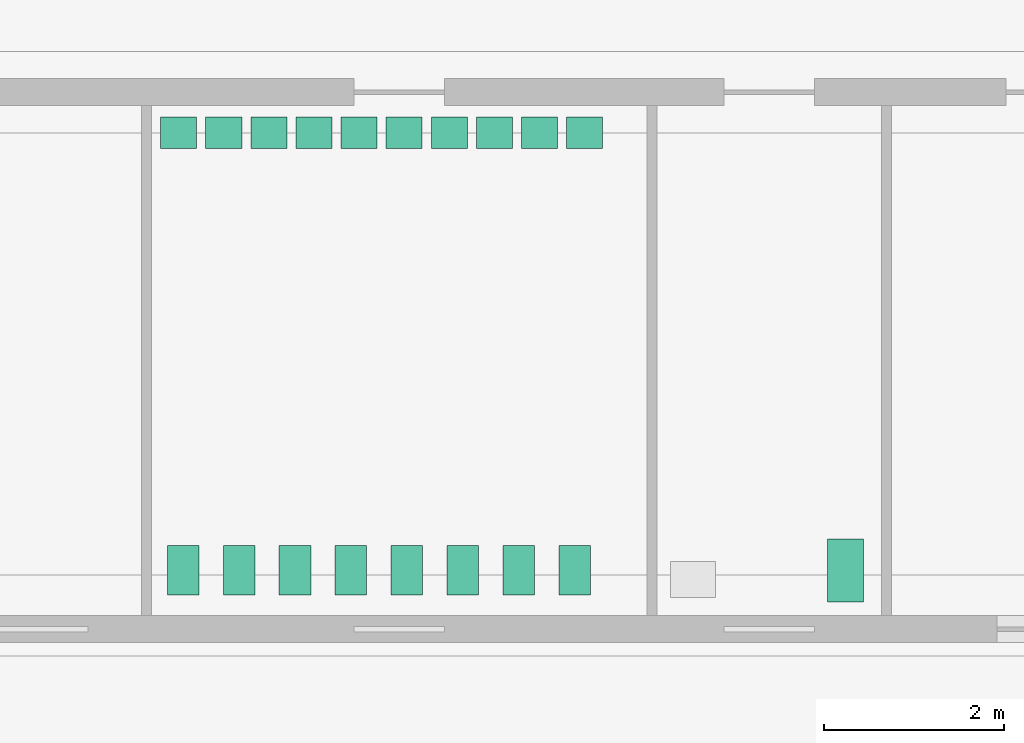
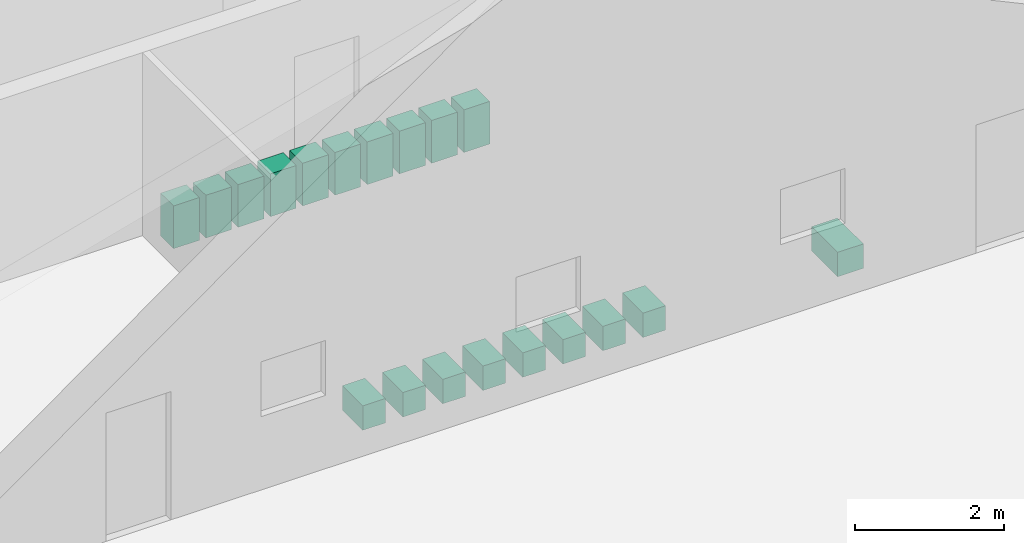
# One storey, part 110 of 112: 19 sanitary terminals.
"""IFC4 building model written with IfcOpenShell, lengths in metres."""

from ifc_helpers import new_model, si_unit, direction, frame, origin, origin_2d, place, context, subcontext, project, spatial, rectangle, extrude, element, save


model = new_model("IFC4")

# Units and contexts
model_context = context("Model", 3, precision=1e-05, world=origin(), true_north=direction((0.0, 1.0)))
body_context = subcontext(model_context, "Body", "Model", "MODEL_VIEW")
ifc_project = project(units=[si_unit("LENGTHUNIT", "METRE"), si_unit("AREAUNIT", "SQUARE_METRE"), si_unit("VOLUMEUNIT", "CUBIC_METRE"), si_unit("PLANEANGLEUNIT", "RADIAN"), si_unit("MASSUNIT", "GRAM", prefix="KILO")], contexts=[model_context])

# Site, building, storey
site_placement = place(None, origin())
site = spatial("IfcSite", under=ifc_project, at=site_placement, CompositionType="ELEMENT")
building_placement = place(site_placement, origin())
building = spatial("IfcBuilding", under=site, at=building_placement, Name="Ridgestep Commons", CompositionType="ELEMENT")
storey_placement = place(building_placement, origin())
storey = spatial("IfcBuildingStorey", under=building, at=storey_placement, Name="L00", CompositionType="ELEMENT", Elevation=0.0)

# Sanitary terminals
for number, where, z_axis, x_axis, name in (
    (1, (26.455078125, 30.800048828125, 0.0), (0.0, 0.0, 1.0), (1.0, 0.0, 0.0), "Child WC"),
    (2, (27.074951171875, 30.800048828125, 0.0), (0.0, 0.0, 1.0), (1.0, 0.0, 0.0), "Child WC"),
    (3, (27.695068359375, 30.800048828125, 0.0), (0.0, 0.0, 1.0), (1.0, 0.0, 0.0), "Child WC"),
    (4, (28.31494140625, 30.800048828125, 0.0), (0.0, 0.0, 1.0), (1.0, 0.0, 0.0), "Child WC"),
    (5, (28.93505859375, 30.800048828125, 0.0), (0.0, 0.0, 1.0), (1.0, 0.0, 0.0), "Child WC"),
    (6, (29.554931640625, 30.800048828125, 0.0), (0.0, 0.0, 1.0), (1.0, 0.0, 0.0), "Child WC"),
    (7, (30.175048828125, 30.800048828125, 0.0), (0.0, 0.0, 1.0), (1.0, 0.0, 0.0), "Child WC"),
    (8, (30.794921875, 30.800048828125, 0.0), (0.0, 0.0, 1.0), (1.0, 0.0, 0.0), "Child WC"),
):
    element("IfcSanitaryTerminal", number, at=place(storey_placement, frame(where, z_axis=z_axis, x_axis=x_axis)), inside=storey, Name=name, PredefinedType="TOILETPAN", context=body_context, shape_type="SweptSolid", body=[
        extrude(rectangle(XDim=0.35009765625, YDim=0.550048828125, at=origin_2d()), origin(), (0.0, 0.0, 1.0), 0.39990234375),
    ])
for number, where, z_axis, x_axis, name in (
    (9, (26.405029296875, 35.64990234375, 0.0), (0.0, 0.0, 1.0), (1.0, 0.0, 0.0), "Child basin"),
    (10, (26.905029296875, 35.64990234375, 0.0), (0.0, 0.0, 1.0), (1.0, 0.0, 0.0), "Child basin"),
    (11, (27.405029296875, 35.64990234375, 0.0), (0.0, 0.0, 1.0), (1.0, 0.0, 0.0), "Child basin"),
    (12, (27.905029296875, 35.64990234375, 0.0), (0.0, 0.0, 1.0), (1.0, 0.0, 0.0), "Child basin"),
    (13, (28.405029296875, 35.64990234375, 0.0), (0.0, 0.0, 1.0), (1.0, 0.0, 0.0), "Child basin"),
    (14, (28.905029296875, 35.64990234375, 0.0), (0.0, 0.0, 1.0), (1.0, 0.0, 0.0), "Child basin"),
    (15, (29.405029296875, 35.64990234375, 0.0), (0.0, 0.0, 1.0), (1.0, 0.0, 0.0), "Child basin"),
    (16, (29.905029296875, 35.64990234375, 0.0), (0.0, 0.0, 1.0), (1.0, 0.0, 0.0), "Child basin"),
    (17, (30.405029296875, 35.64990234375, 0.0), (0.0, 0.0, 1.0), (1.0, 0.0, 0.0), "Child basin"),
    (18, (30.905029296875, 35.64990234375, 0.0), (0.0, 0.0, 1.0), (1.0, 0.0, 0.0), "Child basin"),
):
    element("IfcSanitaryTerminal", number, at=place(storey_placement, frame(where, z_axis=z_axis, x_axis=x_axis)), inside=storey, Name=name, PredefinedType="WASHHANDBASIN", context=body_context, shape_type="SweptSolid", body=[
        extrude(rectangle(XDim=0.39990234375, YDim=0.35009765625, at=origin_2d()), origin(), (0.0, 0.0, 1.0), 0.699951171875),
    ])
sanitary_terminal_placement = place(storey_placement, frame((33.794921875, 30.800048828125, 0.0), z_axis=(0.0, 0.0, 1.0), x_axis=(1.0, 0.0, 0.0)))
element("IfcSanitaryTerminal", 19, at=sanitary_terminal_placement, inside=storey, Name="Accessible WC pan", PredefinedType="TOILETPAN", context=body_context, shape_type="SweptSolid", body=[
    extrude(rectangle(XDim=0.39990234375, YDim=0.699951171875, at=origin_2d()), origin(), (0.0, 0.0, 1.0), 0.39990234375),
])

save(model, "model.ifc")
